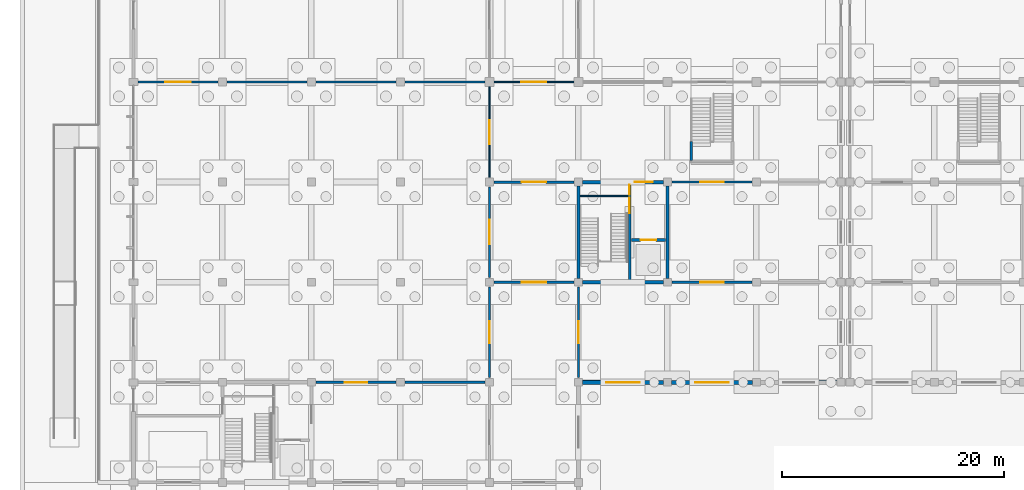
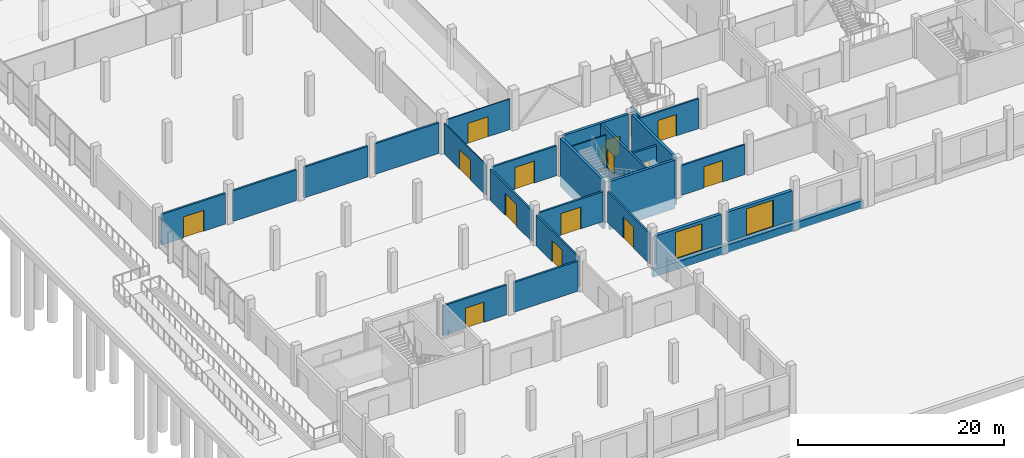
# One storey, part 41 of 72: 26 walls, 17 doors, 17 openings.
"""IFC4 building model written with IfcOpenShell, lengths in metres."""

from ifc_helpers import new_model, si_unit, direction, frame, frame_2d, origin, place, context, subcontext, project, spatial, rectangle, extrude, material, layer, layer_set, type_object, element, fill, save


model = new_model("IFC4")

# Units and contexts
model_context = context("Model", 3, precision=1e-05, world=origin(), true_north=direction((0.0, 1.0)))
body_context = subcontext(model_context, "Body", "Model", "MODEL_VIEW")
ifc_project = project(units=[si_unit("LENGTHUNIT", "METRE"), si_unit("AREAUNIT", "SQUARE_METRE"), si_unit("VOLUMEUNIT", "CUBIC_METRE"), si_unit("PLANEANGLEUNIT", "RADIAN"), si_unit("MASSUNIT", "GRAM", prefix="KILO"), si_unit("THERMODYNAMICTEMPERATUREUNIT", "KELVIN"), si_unit("POWERUNIT", "WATT")], contexts=[model_context])

# Site, building, storey
site_placement = place(None, origin())
site = spatial("IfcSite", under=ifc_project, at=site_placement, CompositionType="ELEMENT")
building_placement = place(site_placement, origin())
building = spatial("IfcBuilding", under=site, at=building_placement, Name="Kronsvod Quay Wholesale Market", CompositionType="ELEMENT")
storey_placement = place(building_placement, origin())
storey = spatial("IfcBuildingStorey", under=building, at=storey_placement, Name="L00", CompositionType="ELEMENT", Elevation=0.0)

# Wall, opening, door
ifc_material_1 = material(Name="Polyisocyanurate insulated cold-room panel")
ifc_layer_1 = layer(ifc_material_1, 0.195068359375)
ifc_layer_set_1 = layer_set([ifc_layer_1], Name="Polyisocyanurate insulated cold-room panel")
wall_type_1 = type_object("IfcWallType", Name="Wall_ColdInsul195", PredefinedType="PARTITIONING", material=ifc_layer_set_1)
wall_1_placement = place(storey_placement, frame((32.0, 27.419921875, 0.0), z_axis=(0.0, 0.0, 1.0), x_axis=(0.0, 1.0, 0.0)))
wall_1 = element("IfcWall", 1, at=wall_1_placement, inside=storey, type_object=wall_type_1, Name="PW-L00-0012", PredefinedType="PARTITIONING", context=body_context, shape_type="SweptSolid", body=[
    extrude(rectangle(XDim=8.16015625, YDim=0.195068359375, at=frame_2d((4.080078125, 0.0))), origin(), (0.0, 0.0, 1.0), 3.64990234375),
])
opening_1_placement = place(wall_1_placement, frame((3.080078125, 0.0, 0.0)))
opening_1 = element("IfcOpeningElement", 2, at=opening_1_placement, cuts=wall_1, Name="Opening D-0132", PredefinedType="OPENING", context=body_context, shape_type="SweptSolid", body=[
    extrude(rectangle(XDim=2.0, YDim=2.52001953125, at=frame_2d((1.0, 1.260009765625))), frame((0.0, 0.107421875, 0.0), z_axis=(0.0, -1.0, 0.0), x_axis=(1.0, 0.0, 0.0)), (0.0, 0.0, 1.0), 0.215087890625),
])
ifc_material_2 = material(Name="Insulated stainless cold-store door", Category="steel")
door_type_1 = type_object("IfcDoorType", Name="Door_ColdSlide200x252", OperationType="SLIDING_TO_RIGHT", PredefinedType="DOOR", material=ifc_material_2)
door_1_placement = place(opening_1_placement, origin())
door_1 = element("IfcDoor", 3, at=door_1_placement, inside=storey, type_object=door_type_1, Name="Interior Door D-0132", OperationType="SLIDING_TO_LEFT", OverallHeight=2.52001953125, OverallWidth=2.0, PredefinedType="DOOR", context=body_context, shape_type="SweptSolid", body=[
    extrude(rectangle(XDim=2.0, YDim=2.52001953125, at=frame_2d((1.0, 1.260009765625))), frame((0.0, 0.02490234375, 0.0), z_axis=(0.0, -1.0, 0.0), x_axis=(1.0, 0.0, 0.0)), (0.0, 0.0, 1.0), 0.050048828125),
])
fill(opening_1, door_1)

wall_2_placement = place(storey_placement, frame((40.0, 27.419921875, 0.0), z_axis=(0.0, 0.0, 1.0), x_axis=(0.0, 1.0, 0.0)))
wall_2 = element("IfcWall", 4, at=wall_2_placement, inside=storey, type_object=wall_type_1, Name="PW-L00-0034", PredefinedType="PARTITIONING", context=body_context, shape_type="SweptSolid", body=[
    extrude(rectangle(XDim=8.16015625, YDim=0.195068359375, at=frame_2d((4.080078125, 0.0))), origin(), (0.0, 0.0, 1.0), 3.64990234375),
])
opening_2_placement = place(wall_2_placement, frame((3.080078125, 0.0, 0.0)))
opening_2 = element("IfcOpeningElement", 5, at=opening_2_placement, cuts=wall_2, Name="Opening D-0147", PredefinedType="OPENING", context=body_context, shape_type="SweptSolid", body=[
    extrude(rectangle(XDim=2.0, YDim=2.52001953125, at=frame_2d((1.0, 1.260009765625))), frame((0.0, 0.107421875, 0.0), z_axis=(0.0, -1.0, 0.0), x_axis=(1.0, 0.0, 0.0)), (0.0, 0.0, 1.0), 0.215087890625),
])
door_2_placement = place(opening_2_placement, origin())
door_2 = element("IfcDoor", 6, at=door_2_placement, inside=storey, type_object=door_type_1, Name="Interior Door D-0147", OperationType="SLIDING_TO_LEFT", OverallHeight=2.52001953125, OverallWidth=2.0, PredefinedType="DOOR", context=body_context, shape_type="SweptSolid", body=[
    extrude(rectangle(XDim=2.0, YDim=2.52001953125, at=frame_2d((1.0, 1.260009765625))), frame((0.0, 0.02490234375, 0.0), z_axis=(0.0, -1.0, 0.0), x_axis=(1.0, 0.0, 0.0)), (0.0, 0.0, 1.0), 0.050048828125),
])
fill(opening_2, door_2)

wall_3_placement = place(storey_placement, frame((48.419921875, 36.0, 0.0), z_axis=(0.0, 0.0, 1.0), x_axis=(1.0, 0.0, 0.0)))
wall_3 = element("IfcWall", 7, at=wall_3_placement, inside=storey, type_object=wall_type_1, Name="PW-L00-0036", PredefinedType="PARTITIONING", context=body_context, shape_type="SweptSolid", body=[
    extrude(rectangle(XDim=7.16015625, YDim=0.195068359375, at=frame_2d((3.580078125, 0.0))), origin(), (0.0, 0.0, 1.0), 3.550048828125),
])
opening_3_placement = place(wall_3_placement, frame((2.530029296875, 0.0, 0.0)))
opening_3 = element("IfcOpeningElement", 8, at=opening_3_placement, cuts=wall_3, Name="Opening D-0149", PredefinedType="OPENING", context=body_context, shape_type="SweptSolid", body=[
    extrude(rectangle(XDim=2.10009765625, YDim=2.550048828125, at=frame_2d((1.050048828125, 1.27490234375))), frame((0.0, 0.107421875, 0.0), z_axis=(0.0, -1.0, 0.0), x_axis=(1.0, 0.0, 0.0)), (0.0, 0.0, 1.0), 0.215087890625),
])
ifc_material_3 = material(Name="Insulated stainless cold-store door", Category="steel")
door_type_2 = type_object("IfcDoorType", Name="Door_ColdSlide210x255", OperationType="SLIDING_TO_RIGHT", PredefinedType="DOOR", material=ifc_material_3)
door_3_placement = place(opening_3_placement, origin())
door_3 = element("IfcDoor", 9, at=door_3_placement, inside=storey, type_object=door_type_2, Name="Interior Door D-0149", OperationType="SLIDING_TO_LEFT", OverallHeight=2.550048828125, OverallWidth=2.10009765625, PredefinedType="DOOR", context=body_context, shape_type="SweptSolid", body=[
    extrude(rectangle(XDim=2.10009765625, YDim=2.550048828125, at=frame_2d((1.050048828125, 1.27490234375))), frame((0.0, 0.02490234375, 0.0), z_axis=(0.0, -1.0, 0.0), x_axis=(1.0, 0.0, 0.0)), (0.0, 0.0, 1.0), 0.050048828125),
])
fill(opening_3, door_3)

wall_4_placement = place(storey_placement, frame((48.419921875, 45.0, 0.0), z_axis=(0.0, 0.0, 1.0), x_axis=(1.0, 0.0, 0.0)))
wall_4 = element("IfcWall", 10, at=wall_4_placement, inside=storey, type_object=wall_type_1, Name="PW-L00-0058", PredefinedType="PARTITIONING", context=body_context, shape_type="SweptSolid", body=[
    extrude(rectangle(XDim=7.16015625, YDim=0.195068359375, at=frame_2d((3.580078125, 0.0))), origin(), (0.0, 0.0, 1.0), 3.550048828125),
])
opening_4_placement = place(wall_4_placement, frame((2.530029296875, 0.0, 0.0)))
opening_4 = element("IfcOpeningElement", 11, at=opening_4_placement, cuts=wall_4, Name="Opening D-0161", PredefinedType="OPENING", context=body_context, shape_type="SweptSolid", body=[
    extrude(rectangle(XDim=2.10009765625, YDim=2.550048828125, at=frame_2d((1.050048828125, 1.27490234375))), frame((0.0, 0.107421875, 0.0), z_axis=(0.0, -1.0, 0.0), x_axis=(1.0, 0.0, 0.0)), (0.0, 0.0, 1.0), 0.215087890625),
])
door_4_placement = place(opening_4_placement, origin())
door_4 = element("IfcDoor", 12, at=door_4_placement, inside=storey, type_object=door_type_2, Name="Interior Door D-0161", OperationType="SLIDING_TO_LEFT", OverallHeight=2.550048828125, OverallWidth=2.10009765625, PredefinedType="DOOR", context=body_context, shape_type="SweptSolid", body=[
    extrude(rectangle(XDim=2.10009765625, YDim=2.550048828125, at=frame_2d((1.050048828125, 1.27490234375))), frame((0.0, 0.02490234375, 0.0), z_axis=(0.0, -1.0, 0.0), x_axis=(1.0, 0.0, 0.0)), (0.0, 0.0, 1.0), 0.050048828125),
])
fill(opening_4, door_4)

ifc_material_4 = material(Name="Polyisocyanurate insulated cold-room panel")
ifc_layer_2 = layer(ifc_material_4, 0.2099609375)
ifc_layer_set_2 = layer_set([ifc_layer_2], Name="Polyisocyanurate insulated cold-room panel")
wall_type_2 = type_object("IfcWallType", Name="Wall_ColdInsul210", PredefinedType="PARTITIONING", material=ifc_layer_set_2)
wall_5_placement = place(storey_placement, frame((32.0, 36.419921875, 0.0), z_axis=(0.0, 0.0, 1.0), x_axis=(0.0, 1.0, 0.0)))
wall_5 = element("IfcWall", 13, at=wall_5_placement, inside=storey, type_object=wall_type_2, Name="PW-L00-0013", PredefinedType="PARTITIONING", context=body_context, shape_type="SweptSolid", body=[
    extrude(rectangle(XDim=8.16015625, YDim=0.2099609375, at=frame_2d((4.080078125, 0.0))), origin(), (0.0, 0.0, 1.0), 3.64990234375),
])
opening_5_placement = place(wall_5_placement, frame((2.97998046875, 0.0, 0.0)))
opening_5 = element("IfcOpeningElement", 14, at=opening_5_placement, cuts=wall_5, Name="Opening D-0133", PredefinedType="OPENING", context=body_context, shape_type="SweptSolid", body=[
    extrude(rectangle(XDim=2.199951171875, YDim=2.60009765625, at=frame_2d((1.10009765625, 1.300048828125))), frame((0.0, 0.114990234375, 0.0), z_axis=(0.0, -1.0, 0.0), x_axis=(1.0, 0.0, 0.0)), (0.0, 0.0, 1.0), 0.22998046875),
])
ifc_material_5 = material(Name="Insulated stainless cold-store door", Category="steel")
door_type_3 = type_object("IfcDoorType", Name="Door_ColdSlide220x260", OperationType="SLIDING_TO_LEFT", PredefinedType="DOOR", material=ifc_material_5)
door_5_placement = place(opening_5_placement, origin())
door_5 = element("IfcDoor", 15, at=door_5_placement, inside=storey, type_object=door_type_3, Name="Interior Door D-0133", OperationType="SLIDING_TO_LEFT", OverallHeight=2.60009765625, OverallWidth=2.199951171875, PredefinedType="DOOR", context=body_context, shape_type="SweptSolid", body=[
    extrude(rectangle(XDim=2.199951171875, YDim=2.60009765625, at=frame_2d((1.10009765625, 1.300048828125))), frame((0.0, 0.02490234375, 0.0), z_axis=(0.0, -1.0, 0.0), x_axis=(1.0, 0.0, 0.0)), (0.0, 0.0, 1.0), 0.050048828125),
])
fill(opening_5, door_5)

wall_6_placement = place(storey_placement, frame((32.419921875, 36.0, 0.0), z_axis=(0.0, 0.0, 1.0), x_axis=(1.0, 0.0, 0.0)))
wall_6 = element("IfcWall", 16, at=wall_6_placement, inside=storey, type_object=wall_type_2, Name="PW-L00-0035", PredefinedType="PARTITIONING", context=body_context, shape_type="SweptSolid", body=[
    extrude(rectangle(XDim=7.16015625, YDim=0.2099609375, at=frame_2d((3.580078125, 0.0))), origin(), (0.0, 0.0, 1.0), 3.550048828125),
])
opening_6_placement = place(wall_6_placement, frame((2.47998046875, 0.0, 0.0)))
opening_6 = element("IfcOpeningElement", 17, at=opening_6_placement, cuts=wall_6, Name="Opening D-0148", PredefinedType="OPENING", context=body_context, shape_type="SweptSolid", body=[
    extrude(rectangle(XDim=2.199951171875, YDim=2.60009765625, at=frame_2d((1.10009765625, 1.300048828125))), frame((0.0, 0.114990234375, 0.0), z_axis=(0.0, -1.0, 0.0), x_axis=(1.0, 0.0, 0.0)), (0.0, 0.0, 1.0), 0.22998046875),
])
door_6_placement = place(opening_6_placement, origin())
door_6 = element("IfcDoor", 18, at=door_6_placement, inside=storey, type_object=door_type_3, Name="Interior Door D-0148", OperationType="SLIDING_TO_LEFT", OverallHeight=2.60009765625, OverallWidth=2.199951171875, PredefinedType="DOOR", context=body_context, shape_type="SweptSolid", body=[
    extrude(rectangle(XDim=2.199951171875, YDim=2.60009765625, at=frame_2d((1.10009765625, 1.300048828125))), frame((0.0, 0.02490234375, 0.0), z_axis=(0.0, -1.0, 0.0), x_axis=(1.0, 0.0, 0.0)), (0.0, 0.0, 1.0), 0.050048828125),
])
fill(opening_6, door_6)

wall_7_placement = place(storey_placement, frame((32.419921875, 45.0, 0.0), z_axis=(0.0, 0.0, 1.0), x_axis=(1.0, 0.0, 0.0)))
wall_7 = element("IfcWall", 19, at=wall_7_placement, inside=storey, type_object=wall_type_2, Name="PW-L00-0057", PredefinedType="PARTITIONING", context=body_context, shape_type="SweptSolid", body=[
    extrude(rectangle(XDim=7.16015625, YDim=0.2099609375, at=frame_2d((3.580078125, 0.0))), origin(), (0.0, 0.0, 1.0), 3.550048828125),
])
opening_7_placement = place(wall_7_placement, frame((2.47998046875, 0.0, 0.0)))
opening_7 = element("IfcOpeningElement", 20, at=opening_7_placement, cuts=wall_7, Name="Opening D-0160", PredefinedType="OPENING", context=body_context, shape_type="SweptSolid", body=[
    extrude(rectangle(XDim=2.199951171875, YDim=2.60009765625, at=frame_2d((1.10009765625, 1.300048828125))), frame((0.0, 0.114990234375, 0.0), z_axis=(0.0, -1.0, 0.0), x_axis=(1.0, 0.0, 0.0)), (0.0, 0.0, 1.0), 0.22998046875),
])
door_7_placement = place(opening_7_placement, origin())
door_7 = element("IfcDoor", 21, at=door_7_placement, inside=storey, type_object=door_type_3, Name="Interior Door D-0160", OperationType="SLIDING_TO_LEFT", OverallHeight=2.60009765625, OverallWidth=2.199951171875, PredefinedType="DOOR", context=body_context, shape_type="SweptSolid", body=[
    extrude(rectangle(XDim=2.199951171875, YDim=2.60009765625, at=frame_2d((1.10009765625, 1.300048828125))), frame((0.0, 0.02490234375, 0.0), z_axis=(0.0, -1.0, 0.0), x_axis=(1.0, 0.0, 0.0)), (0.0, 0.0, 1.0), 0.050048828125),
])
fill(opening_7, door_7)

# Wall
ifc_material_6 = material(Name="Concrete C35/45", Category="concrete")
ifc_layer_3 = layer(ifc_material_6, 0.300048828125)
ifc_layer_set_3 = layer_set([ifc_layer_3], Name="Concrete C35/45")
wall_type_3 = type_object("IfcWallType", Name="Wall_CoreShear300", PredefinedType="SHEAR", material=ifc_layer_set_3)
wall_8_placement = place(storey_placement, frame((40.344970703125, 36.0, -1.25), z_axis=(0.0, 0.0, 1.0), x_axis=(1.0, 0.0, 0.0)))
element("IfcWall", 22, at=wall_8_placement, inside=storey, type_object=wall_type_3, Name="CW-C03-L00-S", PredefinedType="SHEAR", context=body_context, shape_type="SweptSolid", body=[
    extrude(rectangle(XDim=7.31005859375, YDim=0.300048828125, at=frame_2d((3.655029296875, 0.0))), origin(), (0.0, 0.0, 1.0), 5.7548828125),
])

# Wall, opening, door
wall_9_placement = place(storey_placement, frame((40.344970703125, 45.0, -1.25), z_axis=(0.0, 0.0, 1.0), x_axis=(1.0, 0.0, 0.0)))
wall_9 = element("IfcWall", 23, at=wall_9_placement, inside=storey, type_object=wall_type_3, Name="CW-C03-L00-N", PredefinedType="SHEAR", context=body_context, shape_type="SweptSolid", body=[
    extrude(rectangle(XDim=7.31005859375, YDim=0.300048828125, at=frame_2d((3.655029296875, 0.0))), origin(), (0.0, 0.0, 1.0), 5.7548828125),
])
opening_8_placement = place(wall_9_placement, frame((4.699951171875, 0.0, 1.25)))
opening_8 = element("IfcOpeningElement", 24, at=opening_8_placement, cuts=wall_9, Name="Opening D-0023", PredefinedType="OPENING", context=body_context, shape_type="SweptSolid", body=[
    extrude(rectangle(XDim=1.64990234375, YDim=2.219970703125, at=frame_2d((0.824951171875, 1.10986328125))), frame((0.0, 0.16015625, 0.0), z_axis=(0.0, -1.0, 0.0), x_axis=(1.0, 0.0, 0.0)), (0.0, 0.0, 1.0), 0.320068359375),
])
ifc_material_7 = material(Name="Painted galvanized fire steel", Category="steel")
door_type_4 = type_object("IfcDoorType", Name="Door_FireLobby165x222", OperationType="DOUBLE_DOOR_SINGLE_SWING", PredefinedType="DOOR", material=ifc_material_7)
door_8_placement = place(opening_8_placement, origin())
door_8 = element("IfcDoor", 25, at=door_8_placement, inside=storey, type_object=door_type_4, Name="Core Lobby Door D-0023", OperationType="DOUBLE_DOOR_SINGLE_SWING", OverallHeight=2.219970703125, OverallWidth=1.64990234375, PredefinedType="DOOR", context=body_context, shape_type="SweptSolid", body=[
    extrude(rectangle(XDim=1.64990234375, YDim=2.219970703125, at=frame_2d((0.824951171875, 1.10986328125))), frame((0.0, 0.02490234375, 0.0), z_axis=(0.0, -1.0, 0.0), x_axis=(1.0, 0.0, 0.0)), (0.0, 0.0, 1.0), 0.050048828125),
])
fill(opening_8, door_8)

# Walls
for number, where, z_axis, x_axis, name in (
    (26, (40.0, 36.344970703125, -1.25), (0.0, 0.0, 1.0), (0.0, 1.0, 0.0), "CW-C03-L00-W"),
    (27, (48.0, 36.344970703125, -1.25), (0.0, 0.0, 1.0), (0.0, 1.0, 0.0), "CW-C03-L00-E"),
):
    element("IfcWall", number, at=place(storey_placement, frame(where, z_axis=z_axis, x_axis=x_axis)), inside=storey, type_object=wall_type_3, Name=name, PredefinedType="SHEAR", context=body_context, shape_type="SweptSolid", body=[
        extrude(rectangle(XDim=8.31005859375, YDim=0.300048828125, at=frame_2d((4.155029296875, 0.0))), origin(), (0.0, 0.0, 1.0), 5.7548828125),
    ])

# Wall, opening, door
ifc_material_8 = material(Name="Precast concrete C40/50", Category="concrete")
ifc_layer_4 = layer(ifc_material_8, 0.360107421875)
ifc_layer_set_4 = layer_set([ifc_layer_4], Name="Precast concrete C40/50")
wall_type_4 = type_object("IfcWallType", Name="Wall_ExtColdSandwich360", PredefinedType="SOLIDWALL", material=ifc_layer_set_4)
wall_10_placement = place(storey_placement, frame((40.344970703125, 27.0, 0.0), z_axis=(0.0, 0.0, 1.0), x_axis=(1.0, 0.0, 0.0)))
wall_10 = element("IfcWall", 28, at=wall_10_placement, inside=storey, type_object=wall_type_4, Name="EW-X-L00-0006", PredefinedType="SOLIDWALL", context=body_context, shape_type="SweptSolid", body=[
    extrude(rectangle(XDim=7.31005859375, YDim=0.360107421875, at=frame_2d((3.655029296875, 0.0))), origin(), (0.0, 0.0, 1.0), 3.550048828125),
])
opening_9_placement = place(wall_10_placement, frame((2.155029296875, 0.0, 0.0)))
opening_9 = element("IfcOpeningElement", 29, at=opening_9_placement, cuts=wall_10, Name="Opening ED-006", PredefinedType="OPENING", context=body_context, shape_type="SweptSolid", body=[
    extrude(rectangle(XDim=3.0, YDim=3.199951171875, at=frame_2d((1.5, 1.60009765625))), frame((0.0, 0.18994140625, 0.0), z_axis=(0.0, -1.0, 0.0), x_axis=(1.0, 0.0, 0.0)), (0.0, 0.0, 1.0), 0.380126953125),
])
ifc_material_9 = material(Name="Insulated galvanized steel sectional shutter", Category="steel")
door_type_5 = type_object("IfcDoorType", Name="Door_DockShutter300x320", OperationType="ROLLINGUP", PredefinedType="GATE", material=ifc_material_9)
door_9_placement = place(opening_9_placement, origin())
door_9 = element("IfcDoor", 30, at=door_9_placement, inside=storey, type_object=door_type_5, Name="Loading Dock Door ED-006", OperationType="ROLLINGUP", OverallHeight=3.199951171875, OverallWidth=3.0, PredefinedType="GATE", context=body_context, shape_type="SweptSolid", body=[
    extrude(rectangle(XDim=3.0, YDim=3.199951171875, at=frame_2d((1.5, 1.60009765625))), frame((0.0, 0.02490234375, 0.0), z_axis=(0.0, -1.0, 0.0), x_axis=(1.0, 0.0, 0.0)), (0.0, 0.0, 1.0), 0.050048828125),
])
fill(opening_9, door_9)

wall_11_placement = place(storey_placement, frame((48.344970703125, 27.0, 0.0), z_axis=(0.0, 0.0, 1.0), x_axis=(1.0, 0.0, 0.0)))
wall_11 = element("IfcWall", 31, at=wall_11_placement, inside=storey, type_object=wall_type_4, Name="EW-X-L00-0007", PredefinedType="SOLIDWALL", context=body_context, shape_type="SweptSolid", body=[
    extrude(rectangle(XDim=7.31005859375, YDim=0.360107421875, at=frame_2d((3.655029296875, 0.0))), origin(), (0.0, 0.0, 1.0), 3.550048828125),
])
opening_10_placement = place(wall_11_placement, frame((2.155029296875, 0.0, 0.0)))
opening_10 = element("IfcOpeningElement", 32, at=opening_10_placement, cuts=wall_11, Name="Opening ED-007", PredefinedType="OPENING", context=body_context, shape_type="SweptSolid", body=[
    extrude(rectangle(XDim=3.0, YDim=3.199951171875, at=frame_2d((1.5, 1.60009765625))), frame((0.0, 0.18994140625, 0.0), z_axis=(0.0, -1.0, 0.0), x_axis=(1.0, 0.0, 0.0)), (0.0, 0.0, 1.0), 0.380126953125),
])
door_10_placement = place(opening_10_placement, origin())
door_10 = element("IfcDoor", 33, at=door_10_placement, inside=storey, type_object=door_type_5, Name="Loading Dock Door ED-007", OperationType="ROLLINGUP", OverallHeight=3.199951171875, OverallWidth=3.0, PredefinedType="GATE", context=body_context, shape_type="SweptSolid", body=[
    extrude(rectangle(XDim=3.0, YDim=3.199951171875, at=frame_2d((1.5, 1.60009765625))), frame((0.0, 0.02490234375, 0.0), z_axis=(0.0, -1.0, 0.0), x_axis=(1.0, 0.0, 0.0)), (0.0, 0.0, 1.0), 0.050048828125),
])
fill(opening_10, door_10)

ifc_material_10 = material(Name="Concrete C35/45", Category="concrete")
ifc_layer_5 = layer(ifc_material_10, 0.219970703125)
ifc_layer_set_5 = layer_set([ifc_layer_5], Name="Concrete C35/45")
wall_type_5 = type_object("IfcWallType", Name="Wall_FireComp220", PredefinedType="SOLIDWALL", material=ifc_layer_set_5)
wall_12_placement = place(storey_placement, frame((16.419921875, 27.0, 0.0), z_axis=(0.0, 0.0, 1.0), x_axis=(1.0, 0.0, 0.0)))
wall_12 = element("IfcWall", 34, at=wall_12_placement, inside=storey, type_object=wall_type_5, Name="PW-L00-0003", PredefinedType="SOLIDWALL", context=body_context, shape_type="SweptSolid", body=[
    extrude(rectangle(XDim=7.16015625, YDim=0.219970703125, at=frame_2d((3.580078125, 0.0))), origin(), (0.0, 0.0, 1.0), 3.550048828125),
])
opening_11_placement = place(wall_12_placement, frame((2.554931640625, 0.0, 0.0)))
opening_11 = element("IfcOpeningElement", 35, at=opening_11_placement, cuts=wall_12, Name="Opening D-0128", PredefinedType="OPENING", context=body_context, shape_type="SweptSolid", body=[
    extrude(rectangle(XDim=2.050048828125, YDim=2.39990234375, at=frame_2d((1.02490234375, 1.199951171875))), frame((0.0, 0.1201171875, 0.0), z_axis=(0.0, -1.0, 0.0), x_axis=(1.0, 0.0, 0.0)), (0.0, 0.0, 1.0), 0.239990234375),
])
ifc_material_11 = material(Name="Impact-protected warehouse double door", Category="steel")
door_type_6 = type_object("IfcDoorType", Name="Door_Sorting205x240", OperationType="DOUBLE_DOOR_SINGLE_SWING", PredefinedType="DOOR", material=ifc_material_11)
door_11_placement = place(opening_11_placement, origin())
door_11 = element("IfcDoor", 36, at=door_11_placement, inside=storey, type_object=door_type_6, Name="Interior Door D-0128", OperationType="DOUBLE_DOOR_SINGLE_SWING", OverallHeight=2.39990234375, OverallWidth=2.050048828125, PredefinedType="DOOR", context=body_context, shape_type="SweptSolid", body=[
    extrude(rectangle(XDim=2.050048828125, YDim=2.39990234375, at=frame_2d((1.02490234375, 1.199951171875))), frame((0.0, 0.02490234375, 0.0), z_axis=(0.0, -1.0, 0.0), x_axis=(1.0, 0.0, 0.0)), (0.0, 0.0, 1.0), 0.050048828125),
])
fill(opening_11, door_11)

# Wall
wall_13_placement = place(storey_placement, frame((24.419921875, 27.0, 0.0), z_axis=(0.0, 0.0, 1.0), x_axis=(1.0, 0.0, 0.0)))
element("IfcWall", 37, at=wall_13_placement, inside=storey, type_object=wall_type_5, Name="PW-L00-0004", PredefinedType="SOLIDWALL", context=body_context, shape_type="SweptSolid", body=[
    extrude(rectangle(XDim=7.16015625, YDim=0.219970703125, at=frame_2d((3.580078125, 0.0))), origin(), (0.0, 0.0, 1.0), 3.550048828125),
])

# Wall, opening, door
wall_14_placement = place(storey_placement, frame((0.419921875, 54.0, 0.0), z_axis=(0.0, 0.0, 1.0), x_axis=(1.0, 0.0, 0.0)))
wall_14 = element("IfcWall", 38, at=wall_14_placement, inside=storey, type_object=wall_type_5, Name="PW-L00-0008", PredefinedType="SOLIDWALL", context=body_context, shape_type="SweptSolid", body=[
    extrude(rectangle(XDim=7.16015625, YDim=0.219970703125, at=frame_2d((3.580078125, 0.0))), origin(), (0.0, 0.0, 1.0), 3.64990234375),
])
opening_12_placement = place(wall_14_placement, frame((2.429931640625, 0.0, 0.0)))
opening_12 = element("IfcOpeningElement", 39, at=opening_12_placement, cuts=wall_14, Name="Opening D-0131", PredefinedType="OPENING", context=body_context, shape_type="SweptSolid", body=[
    extrude(rectangle(XDim=2.300048828125, YDim=2.5, at=frame_2d((1.14990234375, 1.25))), frame((0.0, 0.1201171875, 0.0), z_axis=(0.0, -1.0, 0.0), x_axis=(1.0, 0.0, 0.0)), (0.0, 0.0, 1.0), 0.239990234375),
])
ifc_material_12 = material(Name="Impact-protected warehouse double door", Category="steel")
door_type_7 = type_object("IfcDoorType", Name="Door_Sorting230x250", OperationType="DOUBLE_DOOR_SINGLE_SWING", PredefinedType="DOOR", material=ifc_material_12)
door_12_placement = place(opening_12_placement, origin())
door_12 = element("IfcDoor", 40, at=door_12_placement, inside=storey, type_object=door_type_7, Name="Interior Door D-0131", OperationType="DOUBLE_DOOR_SINGLE_SWING", OverallHeight=2.5, OverallWidth=2.300048828125, PredefinedType="DOOR", context=body_context, shape_type="SweptSolid", body=[
    extrude(rectangle(XDim=2.300048828125, YDim=2.5, at=frame_2d((1.14990234375, 1.25))), frame((0.0, 0.02490234375, 0.0), z_axis=(0.0, -1.0, 0.0), x_axis=(1.0, 0.0, 0.0)), (0.0, 0.0, 1.0), 0.050048828125),
])
fill(opening_12, door_12)

# Walls
for number, where, z_axis, x_axis, name in (
    (41, (8.419921875, 54.0, 0.0), (0.0, 0.0, 1.0), (1.0, 0.0, 0.0), "PW-L00-0009"),
    (42, (16.419921875, 54.0, 0.0), (0.0, 0.0, 1.0), (1.0, 0.0, 0.0), "PW-L00-0010"),
    (43, (24.419921875, 54.0, 0.0), (0.0, 0.0, 1.0), (1.0, 0.0, 0.0), "PW-L00-0011"),
):
    element("IfcWall", number, at=place(storey_placement, frame(where, z_axis=z_axis, x_axis=x_axis)), inside=storey, type_object=wall_type_5, Name=name, PredefinedType="SOLIDWALL", context=body_context, shape_type="SweptSolid", body=[
        extrude(rectangle(XDim=7.16015625, YDim=0.219970703125, at=frame_2d((3.580078125, 0.0))), origin(), (0.0, 0.0, 1.0), 3.64990234375),
    ])

# Wall, opening, door
ifc_material_13 = material(Name="Double-glazed gallery screen partition", Category="glass")
ifc_layer_6 = layer(ifc_material_13, 0.10791015625)
ifc_layer_set_6 = layer_set([ifc_layer_6], Name="Double-glazed gallery screen partition")
wall_type_6 = type_object("IfcWallType", Name="Wall_PartGlazed108", PredefinedType="PARTITIONING", material=ifc_layer_set_6)
wall_15_placement = place(storey_placement, frame((32.0, 45.419921875, 0.0), z_axis=(0.0, 0.0, 1.0), x_axis=(0.0, 1.0, 0.0)))
wall_15 = element("IfcWall", 44, at=wall_15_placement, inside=storey, type_object=wall_type_6, Name="PW-L00-0014", PredefinedType="PARTITIONING", context=body_context, shape_type="SweptSolid", body=[
    extrude(rectangle(XDim=8.16015625, YDim=0.10791015625, at=frame_2d((4.080078125, 0.0))), origin(), (0.0, 0.0, 1.0), 3.64990234375),
])
opening_13_placement = place(wall_15_placement, frame((3.0048828125, 0.0, 0.0)))
opening_13 = element("IfcOpeningElement", 45, at=opening_13_placement, cuts=wall_15, Name="Opening D-0134", PredefinedType="OPENING", context=body_context, shape_type="SweptSolid", body=[
    extrude(rectangle(XDim=2.14990234375, YDim=2.35009765625, at=frame_2d((1.074951171875, 1.175048828125))), frame((0.0, 0.06396484375, 0.0), z_axis=(0.0, -1.0, 0.0), x_axis=(1.0, 0.0, 0.0)), (0.0, 0.0, 1.0), 0.1279296875),
])
ifc_material_14 = material(Name="Glazed aluminium hall portal", Category="aluminium")
door_type_8 = type_object("IfcDoorType", Name="Door_HallPortal215x235", OperationType="DOUBLE_DOOR_SINGLE_SWING", PredefinedType="DOOR", material=ifc_material_14)
door_13_placement = place(opening_13_placement, origin())
door_13 = element("IfcDoor", 46, at=door_13_placement, inside=storey, type_object=door_type_8, Name="Interior Door D-0134", OperationType="DOUBLE_DOOR_SINGLE_SWING", OverallHeight=2.35009765625, OverallWidth=2.14990234375, PredefinedType="DOOR", context=body_context, shape_type="SweptSolid", body=[
    extrude(rectangle(XDim=2.14990234375, YDim=2.35009765625, at=frame_2d((1.074951171875, 1.175048828125))), frame((0.0, 0.02490234375, 0.0), z_axis=(0.0, -1.0, 0.0), x_axis=(1.0, 0.0, 0.0)), (0.0, 0.0, 1.0), 0.050048828125),
])
fill(opening_13, door_13)

wall_16_placement = place(storey_placement, frame((32.419921875, 54.0, 0.0), z_axis=(0.0, 0.0, 1.0), x_axis=(1.0, 0.0, 0.0)))
wall_16 = element("IfcWall", 47, at=wall_16_placement, inside=storey, type_object=wall_type_6, Name="PW-L00-0077", PredefinedType="PARTITIONING", context=body_context, shape_type="SweptSolid", body=[
    extrude(rectangle(XDim=7.16015625, YDim=0.10791015625, at=frame_2d((3.580078125, 0.0))), origin(), (0.0, 0.0, 1.0), 3.64990234375),
])
opening_14_placement = place(wall_16_placement, frame((2.455078125, 0.0, 0.0)))
opening_14 = element("IfcOpeningElement", 48, at=opening_14_placement, cuts=wall_16, Name="Opening D-0170", PredefinedType="OPENING", context=body_context, shape_type="SweptSolid", body=[
    extrude(rectangle(XDim=2.25, YDim=2.3798828125, at=frame_2d((1.125, 1.18994140625))), frame((0.0, 0.06396484375, 0.0), z_axis=(0.0, -1.0, 0.0), x_axis=(1.0, 0.0, 0.0)), (0.0, 0.0, 1.0), 0.1279296875),
])
ifc_material_15 = material(Name="Glazed aluminium hall portal", Category="aluminium")
door_type_9 = type_object("IfcDoorType", Name="Door_HallPortal225x238", OperationType="DOUBLE_DOOR_SINGLE_SWING", PredefinedType="DOOR", material=ifc_material_15)
door_14_placement = place(opening_14_placement, origin())
door_14 = element("IfcDoor", 49, at=door_14_placement, inside=storey, type_object=door_type_9, Name="Interior Door D-0170", OperationType="DOUBLE_DOOR_SINGLE_SWING", OverallHeight=2.3798828125, OverallWidth=2.25, PredefinedType="DOOR", context=body_context, shape_type="SweptSolid", body=[
    extrude(rectangle(XDim=2.25, YDim=2.3798828125, at=frame_2d((1.125, 1.18994140625))), frame((0.0, 0.02490234375, 0.0), z_axis=(0.0, -1.0, 0.0), x_axis=(1.0, 0.0, 0.0)), (0.0, 0.0, 1.0), 0.050048828125),
])
fill(opening_14, door_14)

# Walls
ifc_material_16 = material(Name="Fire-rated shaft riser block wall", Category="masonry")
ifc_layer_7 = layer(ifc_material_16, 0.1298828125)
ifc_layer_set_7 = layer_set([ifc_layer_7], Name="Fire-rated shaft riser block wall")
wall_type_7 = type_object("IfcWallType", Name="Wall_PartRiser130", PredefinedType="PARTITIONING", material=ifc_layer_set_7)
wall_17_placement = place(storey_placement, frame((40.179931640625, 43.75, 0.0), z_axis=(0.0, 0.0, 1.0), x_axis=(1.0, 0.0, 0.0)))
element("IfcWall", 50, at=wall_17_placement, inside=storey, type_object=wall_type_7, Name="CW-C03-L00-RSR", PredefinedType="PARTITIONING", context=body_context, shape_type="SweptSolid", body=[
    extrude(rectangle(XDim=4.280029296875, YDim=0.1298828125, at=frame_2d((2.14013671875, 0.0))), origin(), (0.0, 0.0, 1.0), 3.85498046875),
])
wall_18_placement = place(storey_placement, frame((50.14990234375, 46.949951171875, -1.25), z_axis=(0.0, 0.0, 1.0), x_axis=(0.0, 1.0, 0.0)))
element("IfcWall", 51, at=wall_18_placement, inside=storey, type_object=wall_type_7, Name="ST-GAL-W1-SWW", PredefinedType="PARTITIONING", context=body_context, shape_type="SweptSolid", body=[
    extrude(rectangle(XDim=1.699951171875, YDim=0.239990234375, at=frame_2d((0.85009765625, 0.0))), origin(), (0.0, 0.0, 1.0), 3.469970703125),
])
ifc_material_17 = material(Name="Precast concrete C40/50", Category="concrete")
ifc_layer_8 = layer(ifc_material_17, 0.39990234375)
ifc_layer_set_8 = layer_set([ifc_layer_8], Name="Precast concrete C40/50")
wall_type_8 = type_object("IfcWallType", Name="Wall_PlinthSkirt400", PredefinedType="STANDARD", material=ifc_layer_set_8)
wall_19_placement = place(storey_placement, frame((40.0, 27.0, -1.25), z_axis=(0.0, 0.0, 1.0), x_axis=(1.0, 0.0, 0.0)))
element("IfcWall", 52, at=wall_19_placement, inside=storey, type_object=wall_type_8, Name="RW-YC1", PredefinedType="STANDARD", context=body_context, shape_type="SweptSolid", body=[
    extrude(rectangle(XDim=23.60009765625, YDim=0.39990234375, at=frame_2d((11.800048828125, 0.0))), origin(), (0.0, 0.0, 1.0), 0.89990234375),
])

# Wall, openings, doors
ifc_material_18 = material(Name="Concrete C35/45", Category="concrete")
ifc_layer_9 = layer(ifc_material_18, 0.239990234375)
ifc_layer_set_9 = layer_set([ifc_layer_9], Name="Concrete C35/45")
wall_type_9 = type_object("IfcWallType", Name="Wall_ShaftWall240", PredefinedType="SHEAR", material=ifc_layer_set_9)
wall_20_placement = place(storey_placement, frame((44.60009765625, 36.179931640625, -1.25), z_axis=(0.0, 0.0, 1.0), x_axis=(0.0, 1.0, 0.0)))
wall_20 = element("IfcWall", 53, at=wall_20_placement, inside=storey, type_object=wall_type_9, Name="CW-C03-L00-DIV", PredefinedType="SHEAR", context=body_context, shape_type="SweptSolid", body=[
    extrude(rectangle(XDim=8.64013671875, YDim=0.239990234375, at=frame_2d((4.320068359375, 0.0))), origin(), (0.0, 0.0, 1.0), 5.7548828125),
])
opening_15_placement = place(wall_20_placement, frame((6.02001953125, 0.0, 1.25)))
opening_15 = element("IfcOpeningElement", 54, at=opening_15_placement, cuts=wall_20, Name="Opening D-0021", PredefinedType="OPENING", context=body_context, shape_type="SweptSolid", body=[
    extrude(rectangle(XDim=1.3798828125, YDim=2.219970703125, at=frame_2d((0.68994140625, 1.10986328125))), frame((0.0, 0.1298828125, 0.0), z_axis=(0.0, -1.0, 0.0), x_axis=(1.0, 0.0, 0.0)), (0.0, 0.0, 1.0), 0.260009765625),
])
opening_16_placement = place(wall_20_placement, frame((7.679931640625, 0.0, 1.25)))
opening_16 = element("IfcOpeningElement", 55, at=opening_16_placement, cuts=wall_20, Name="Opening D-0022", PredefinedType="OPENING", context=body_context, shape_type="SweptSolid", body=[
    extrude(rectangle(XDim=0.89990234375, YDim=2.050048828125, at=frame_2d((0.449951171875, 1.02490234375))), frame((0.0, 0.1298828125, 0.0), z_axis=(0.0, -1.0, 0.0), x_axis=(1.0, 0.0, 0.0)), (0.0, 0.0, 1.0), 0.260009765625),
])
ifc_material_19 = material(Name="Painted galvanized fire steel", Category="steel")
door_type_10 = type_object("IfcDoorType", Name="Door_FireStair138x222", OperationType="NOTDEFINED", PredefinedType="DOOR", material=ifc_material_19)
door_15_placement = place(opening_15_placement, origin())
door_15 = element("IfcDoor", 56, at=door_15_placement, inside=storey, type_object=door_type_10, Name="Stair Fire Door D-0021", OperationType="SINGLE_SWING_LEFT", OverallHeight=2.219970703125, OverallWidth=1.3798828125, PredefinedType="DOOR", context=body_context, shape_type="SweptSolid", body=[
    extrude(rectangle(XDim=1.3798828125, YDim=2.219970703125, at=frame_2d((0.68994140625, 1.10986328125))), frame((0.0, 0.02490234375, 0.0), z_axis=(0.0, -1.0, 0.0), x_axis=(1.0, 0.0, 0.0)), (0.0, 0.0, 1.0), 0.050048828125),
])
fill(opening_15, door_15)
ifc_material_20 = material(Name="Fire-rated steel riser access door", Category="steel")
door_type_11 = type_object("IfcDoorType", Name="Door_Riser90x205", OperationType="NOTDEFINED", PredefinedType="DOOR", material=ifc_material_20)
door_16_placement = place(opening_16_placement, origin())
door_16 = element("IfcDoor", 57, at=door_16_placement, inside=storey, type_object=door_type_11, Name="Service Riser Door D-0022", OperationType="SINGLE_SWING_RIGHT", OverallHeight=2.050048828125, OverallWidth=0.89990234375, PredefinedType="DOOR", context=body_context, shape_type="SweptSolid", body=[
    extrude(rectangle(XDim=0.89990234375, YDim=2.050048828125, at=frame_2d((0.449951171875, 1.02490234375))), frame((0.0, 0.02490234375, 0.0), z_axis=(0.0, -1.0, 0.0), x_axis=(1.0, 0.0, 0.0)), (0.0, 0.0, 1.0), 0.050048828125),
])
fill(opening_16, door_16)

# Wall, opening, door
wall_21_placement = place(storey_placement, frame((44.75, 39.800048828125, 0.0), z_axis=(0.0, 0.0, 1.0), x_axis=(1.0, 0.0, 0.0)))
wall_21 = element("IfcWall", 58, at=wall_21_placement, inside=storey, type_object=wall_type_9, Name="CW-C03-L00-LSH", PredefinedType="SHEAR", context=body_context, shape_type="SweptSolid", body=[
    extrude(rectangle(XDim=3.070068359375, YDim=0.239990234375, at=frame_2d((1.53515625, 0.0))), origin(), (0.0, 0.0, 1.0), 3.85498046875),
])
opening_17_placement = place(wall_21_placement, frame((0.8349609375, 0.0, 0.0)))
opening_17 = element("IfcOpeningElement", 59, at=opening_17_placement, cuts=wall_21, Name="Opening D-0024", PredefinedType="OPENING", context=body_context, shape_type="SweptSolid", body=[
    extrude(rectangle(XDim=1.39990234375, YDim=2.300048828125, at=frame_2d((0.699951171875, 1.14990234375))), frame((0.0, 0.1298828125, 0.0), z_axis=(0.0, -1.0, 0.0), x_axis=(1.0, 0.0, 0.0)), (0.0, 0.0, 1.0), 0.260009765625),
])
ifc_material_21 = material(Name="Brushed stainless steel", Category="steel")
door_type_12 = type_object("IfcDoorType", Name="Door_LiftLandingGoods", OperationType="SLIDING_TO_LEFT", PredefinedType="DOOR", material=ifc_material_21)
door_17_placement = place(opening_17_placement, origin())
door_17 = element("IfcDoor", 60, at=door_17_placement, inside=storey, type_object=door_type_12, Name="Lift Landing Door LFT-G02 L00", OperationType="SLIDING_TO_LEFT", OverallHeight=2.300048828125, OverallWidth=1.39990234375, PredefinedType="DOOR", context=body_context, shape_type="SweptSolid", body=[
    extrude(rectangle(XDim=1.39990234375, YDim=2.300048828125, at=frame_2d((0.699951171875, 1.14990234375))), frame((0.0, 0.02490234375, 0.0), z_axis=(0.0, -1.0, 0.0), x_axis=(1.0, 0.0, 0.0)), (0.0, 0.0, 1.0), 0.050048828125),
])
fill(opening_17, door_17)

save(model, "model.ifc")
